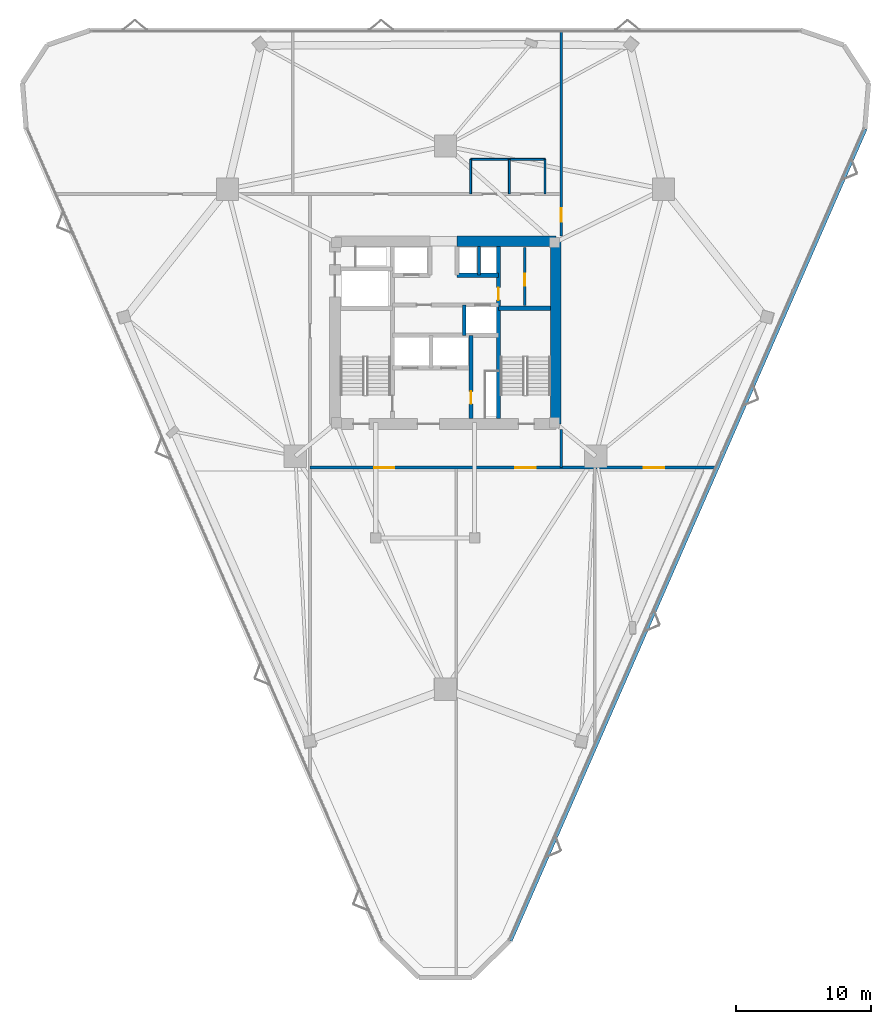
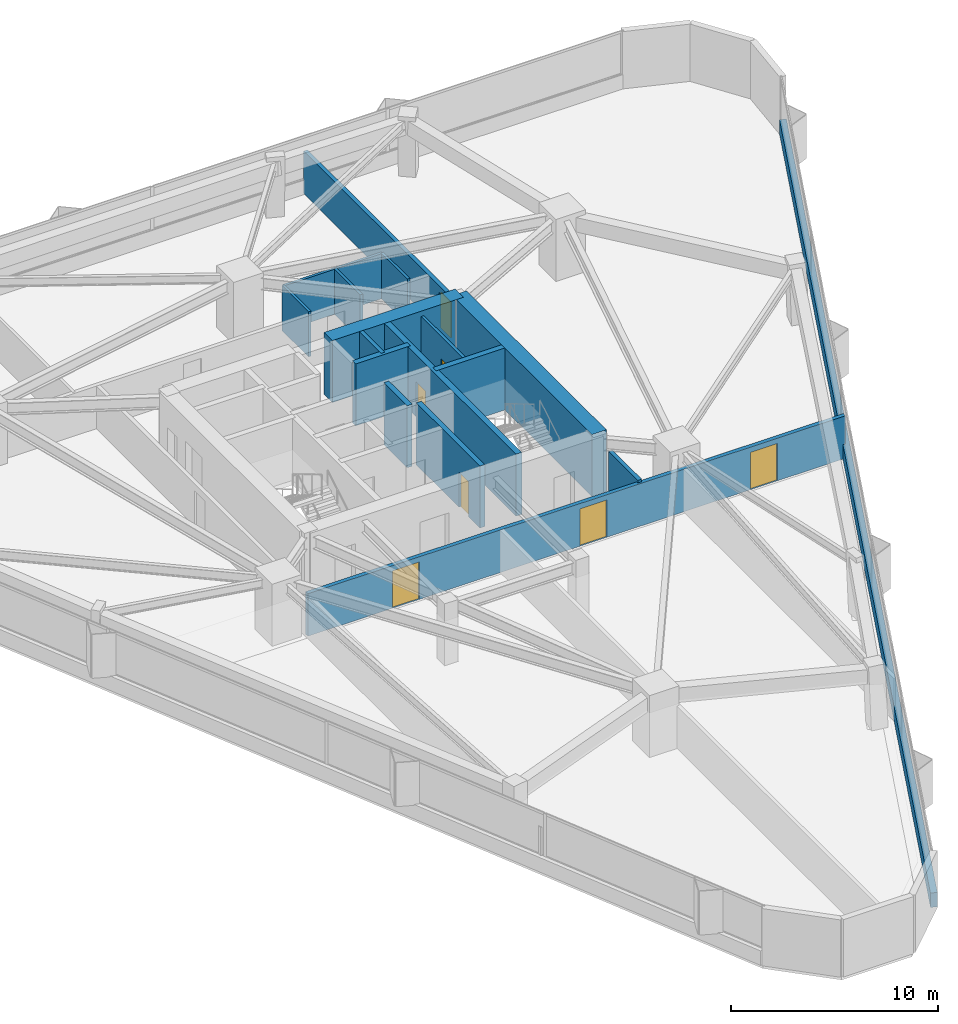
# One storey, part 15 of 18: 17 walls, 7 doors, 7 openings.
"""IFC4 building model written with IfcOpenShell, lengths in metres."""

from ifc_helpers import new_model, si_unit, direction, frame, frame_2d, origin, place, context, subcontext, project, spatial, rectangle, extrude, material, layer, layer_set, type_object, element, fill, save


model = new_model("IFC4")

# Units and contexts
model_context = context("Model", 3, precision=1e-05, world=origin(), true_north=direction((0.0, 1.0)))
body_context = subcontext(model_context, "Body", "Model", "MODEL_VIEW")
ifc_project = project(units=[si_unit("LENGTHUNIT", "METRE"), si_unit("AREAUNIT", "SQUARE_METRE"), si_unit("VOLUMEUNIT", "CUBIC_METRE"), si_unit("PLANEANGLEUNIT", "RADIAN"), si_unit("MASSUNIT", "GRAM", prefix="KILO")], contexts=[model_context])

# Site, building, storey
site_placement = place(None, origin())
site = spatial("IfcSite", under=ifc_project, at=site_placement, CompositionType="ELEMENT")
building_placement = place(site_placement, origin())
building = spatial("IfcBuilding", under=site, at=building_placement, Name="Talyreon Biosciences Tower", CompositionType="ELEMENT")
storey_placement = place(building_placement, frame((0.0, 0.0, 89.60009765625)))
storey = spatial("IfcBuildingStorey", under=building, at=storey_placement, Name="L23", CompositionType="ELEMENT", Elevation=89.60009765625)

# Wall
ifc_material_1 = material(Name="Concrete C50/60", Category="concrete")
ifc_layer_1 = layer(ifc_material_1, 0.219970703125)
ifc_layer_set_1 = layer_set([ifc_layer_1], Name="Concrete C50/60")
wall_type_1 = type_object("IfcWallType", Name="CoreShearWall_220", PredefinedType="SHEAR", material=ifc_layer_set_1)
wall_1_placement = place(storey_placement, frame((68.4599609375, 72.25, 0.0), z_axis=(0.0, 0.0, 1.0), x_axis=(0.0, 1.0, 0.0)))
element("IfcWall", 1, at=wall_1_placement, inside=storey, type_object=wall_type_1, Name="L23 Core Shaft Wall SWPHD", PredefinedType="SHEAR", context=body_context, shape_type="SweptSolid", body=[
    extrude(rectangle(XDim=2.10009765625, YDim=0.219970703125, at=frame_2d((1.050048828125, 0.0))), origin(), (0.0, 0.0, 1.0), 3.64990234375),
])

# Wall, opening, door
ifc_layer_2 = layer(ifc_material_1, 0.280029296875)
ifc_layer_set_2 = layer_set([ifc_layer_2], Name="Concrete C50/60")
wall_type_2 = type_object("IfcWallType", Name="CoreShearWall_280", PredefinedType="SHEAR", material=ifc_layer_set_2)
wall_2_placement = place(storey_placement, frame((67.8798828125, 61.64990234375, 0.0), z_axis=(0.0, 0.0, 1.0), x_axis=(0.0, 1.0, 0.0)))
wall_2 = element("IfcWall", 2, at=wall_2_placement, inside=storey, type_object=wall_type_2, Name="L23 Core Shaft Wall SWFFE", PredefinedType="SHEAR", context=body_context, shape_type="SweptSolid", body=[
    extrude(rectangle(XDim=6.150146484375, YDim=0.280029296875, at=frame_2d((3.0751953125, 0.0))), origin(), (0.0, 0.0, 1.0), 3.64990234375),
])
opening_1_placement = place(wall_2_placement, frame((1.10009765625, 0.0, 0.0)))
opening_1 = element("IfcOpeningElement", 3, at=opening_1_placement, cuts=wall_2, Name="Opening DR-L23-RSE", PredefinedType="OPENING", context=body_context, shape_type="SweptSolid", body=[
    extrude(rectangle(XDim=0.919921875, YDim=2.050048828125, at=frame_2d((0.4599609375, 1.02490234375))), frame((0.0, 0.14990234375, 0.0), z_axis=(0.0, -1.0, 0.0), x_axis=(1.0, 0.0, 0.0)), (0.0, 0.0, 1.0), 0.300048828125),
])
ifc_material_2 = material(Name="Painted steel fire-rated riser door", Category="steel")
door_type_1 = type_object("IfcDoorType", Name="RiserPlantAccessDoor_920x2050", OperationType="NOTDEFINED", PredefinedType="DOOR", material=ifc_material_2)
door_1_placement = place(opening_1_placement, origin())
door_1 = element("IfcDoor", 4, at=door_1_placement, inside=storey, type_object=door_type_1, Name="L23 Core Door DR-L23-RSE", OperationType="SINGLE_SWING_RIGHT", OverallHeight=2.050048828125, OverallWidth=0.919921875, PredefinedType="DOOR", context=body_context, shape_type="SweptSolid", body=[
    extrude(rectangle(XDim=0.919921875, YDim=2.050048828125, at=frame_2d((0.4599609375, 1.02490234375))), frame((0.0, 0.02490234375, 0.0), z_axis=(0.0, -1.0, 0.0), x_axis=(1.0, 0.0, 0.0)), (0.0, 0.0, 1.0), 0.050048828125),
])
fill(opening_1, door_1)

# Wall
wall_3_placement = place(storey_placement, frame((67.3798828125, 67.800048828125, 0.0), z_axis=(0.0, 0.0, 1.0), x_axis=(0.0, 1.0, 0.0)))
element("IfcWall", 5, at=wall_3_placement, inside=storey, type_object=wall_type_2, Name="L23 Core Shaft Wall SWPMD", PredefinedType="SHEAR", context=body_context, shape_type="SweptSolid", body=[
    extrude(rectangle(XDim=2.25, YDim=0.280029296875, at=frame_2d((1.125, 0.0))), origin(), (0.0, 0.0, 1.0), 3.64990234375),
])

# Wall, opening, door
ifc_layer_3 = layer(ifc_material_1, 0.320068359375)
ifc_layer_set_3 = layer_set([ifc_layer_3], Name="Concrete C50/60")
wall_type_3 = type_object("IfcWallType", Name="CoreShearWall_320", PredefinedType="SHEAR", material=ifc_layer_set_3)
wall_4_placement = place(storey_placement, frame((69.909912109375, 61.64990234375, 0.0), z_axis=(0.0, 0.0, 1.0), x_axis=(0.0, 1.0, 0.0)))
wall_4 = element("IfcWall", 6, at=wall_4_placement, inside=storey, type_object=wall_type_3, Name="L23 Core Shaft Wall SW2W", PredefinedType="SHEAR", context=body_context, shape_type="SweptSolid", body=[
    extrude(rectangle(XDim=12.7001953125, YDim=0.320068359375, at=frame_2d((6.35009765625, 0.0))), origin(), (0.0, 0.0, 1.0), 3.64990234375),
])
opening_2_placement = place(wall_4_placement, frame((8.75, 0.0, 0.0)))
opening_2 = element("IfcOpeningElement", 7, at=opening_2_placement, cuts=wall_4, Name="Opening DR-L23-CSRV", PredefinedType="OPENING", context=body_context, shape_type="SweptSolid", body=[
    extrude(rectangle(XDim=0.919921875, YDim=2.050048828125, at=frame_2d((0.4599609375, 1.02490234375))), frame((0.0, 0.169921875, 0.0), z_axis=(0.0, -1.0, 0.0), x_axis=(1.0, 0.0, 0.0)), (0.0, 0.0, 1.0), 0.340087890625),
])
door_2_placement = place(opening_2_placement, origin())
door_2 = element("IfcDoor", 8, at=door_2_placement, inside=storey, type_object=door_type_1, Name="L23 Core Door DR-L23-CSRV", OperationType="SINGLE_SWING_RIGHT", OverallHeight=2.050048828125, OverallWidth=0.919921875, PredefinedType="DOOR", context=body_context, shape_type="SweptSolid", body=[
    extrude(rectangle(XDim=0.919921875, YDim=2.050048828125, at=frame_2d((0.4599609375, 1.02490234375))), frame((0.0, 0.02490234375, 0.0), z_axis=(0.0, -1.0, 0.0), x_axis=(1.0, 0.0, 0.0)), (0.0, 0.0, 1.0), 0.050048828125),
])
fill(opening_2, door_2)

# Walls
wall_5_placement = place(storey_placement, frame((69.909912109375, 69.81005859375, 0.0), z_axis=(0.0, 0.0, 1.0), x_axis=(1.0, 0.0, 0.0)))
element("IfcWall", 9, at=wall_5_placement, inside=storey, type_object=wall_type_3, Name="L23 Core Shaft Wall SW2N", PredefinedType="SHEAR", context=body_context, shape_type="SweptSolid", body=[
    extrude(rectangle(XDim=3.840087890625, YDim=0.320068359375, at=frame_2d((1.919921875, 0.0))), origin(), (0.0, 0.0, 1.0), 3.64990234375),
])
wall_6_placement = place(storey_placement, frame((66.85009765625, 72.25, 0.0), z_axis=(0.0, 0.0, 1.0), x_axis=(1.0, 0.0, 0.0)))
element("IfcWall", 10, at=wall_6_placement, inside=storey, type_object=wall_type_3, Name="L23 Core Shaft Wall SWNPE", PredefinedType="SHEAR", context=body_context, shape_type="SweptSolid", body=[
    extrude(rectangle(XDim=3.059814453125, YDim=0.320068359375, at=frame_2d((1.52978515625, 0.0))), origin(), (0.0, 0.0, 1.0), 3.64990234375),
])
ifc_material_3 = material(Name="Concrete C60/75", Category="concrete")
ifc_layer_4 = layer(ifc_material_3, 0.800048828125)
ifc_layer_set_4 = layer_set([ifc_layer_4], Name="Concrete C60/75")
wall_type_4 = type_object("IfcWallType", Name="CoreShearWall_800", PredefinedType="SHEAR", material=ifc_layer_set_4)
wall_7_placement = place(storey_placement, frame((74.14990234375, 61.25, 0.0), z_axis=(0.0, 0.0, 1.0), x_axis=(0.0, 1.0, 0.0)))
element("IfcWall", 11, at=wall_7_placement, inside=storey, type_object=wall_type_4, Name="L23 Core Shear Wall E", PredefinedType="SHEAR", context=body_context, shape_type="SweptSolid", body=[
    extrude(rectangle(XDim=13.5, YDim=0.800048828125, at=frame_2d((6.75, 0.0))), origin(), (0.0, 0.0, 1.0), 3.64990234375),
])
wall_8_placement = place(storey_placement, frame((74.14990234375, 74.75, 0.0), z_axis=(0.0, 0.0, 1.0), x_axis=(-1.0, 0.0, 0.0)))
element("IfcWall", 12, at=wall_8_placement, inside=storey, type_object=wall_type_4, Name="L23 Core Shear Wall NE", PredefinedType="SHEAR", context=body_context, shape_type="SweptSolid", body=[
    extrude(rectangle(XDim=7.2998046875, YDim=0.800048828125, at=frame_2d((3.64990234375, 0.0))), origin(), (0.0, 0.0, 1.0), 3.64990234375),
])

# Wall, openings, doors
ifc_material_4 = material(Name="Gypsum fireboard acoustic stud", Category="gypsum")
ifc_layer_5 = layer(ifc_material_4, 0.219970703125)
ifc_layer_set_5 = layer_set([ifc_layer_5], Name="Gypsum fireboard acoustic stud")
wall_type_5 = type_object("IfcWallType", Name="CorridorRatedPartition_220", PredefinedType="PARTITIONING", material=ifc_layer_set_5)
wall_9_placement = place(storey_placement, frame((56.0, 58.030029296875, 0.0), z_axis=(0.0, 0.0, 1.0), x_axis=(1.0, 0.0, 0.0)))
wall_9 = element("IfcWall", 13, at=wall_9_placement, inside=storey, type_object=wall_type_5, Name="L23 Interior Wall IW-L23-COR-S", PredefinedType="PARTITIONING", context=body_context, shape_type="SweptSolid", body=[
    extrude(rectangle(XDim=29.94482421875, YDim=0.219970703125, at=frame_2d((14.972412109375, 0.0))), origin(), (0.0, 0.0, 1.0), 2.5048828125),
])
opening_3_placement = place(wall_9_placement, frame((4.72509765625, 0.0, 0.0)))
opening_3 = element("IfcOpeningElement", 14, at=opening_3_placement, cuts=wall_9, Name="Opening DR-L23-S1A", PredefinedType="OPENING", context=body_context, shape_type="SweptSolid", body=[
    extrude(rectangle(XDim=1.5, YDim=2.199951171875, at=frame_2d((0.75, 1.10009765625))), frame((0.0, 0.119873046875, 0.0), z_axis=(0.0, -1.0, 0.0), x_axis=(1.0, 0.0, 0.0)), (0.0, 0.0, 1.0), 0.239990234375),
])
opening_4_placement = place(wall_9_placement, frame((15.160888671875, 0.0, 0.0)))
opening_4 = element("IfcOpeningElement", 15, at=opening_4_placement, cuts=wall_9, Name="Opening DR-L23-S2A", PredefinedType="OPENING", context=body_context, shape_type="SweptSolid", body=[
    extrude(rectangle(XDim=1.5, YDim=2.199951171875, at=frame_2d((0.75, 1.10009765625))), frame((0.0, 0.119873046875, 0.0), z_axis=(0.0, -1.0, 0.0), x_axis=(1.0, 0.0, 0.0)), (0.0, 0.0, 1.0), 0.239990234375),
])
opening_5_placement = place(wall_9_placement, frame((24.658935546875, 0.0, 0.0)))
opening_5 = element("IfcOpeningElement", 16, at=opening_5_placement, cuts=wall_9, Name="Opening DR-L23-S3A", PredefinedType="OPENING", context=body_context, shape_type="SweptSolid", body=[
    extrude(rectangle(XDim=1.5, YDim=2.199951171875, at=frame_2d((0.75, 1.10009765625))), frame((0.0, 0.119873046875, 0.0), z_axis=(0.0, -1.0, 0.0), x_axis=(1.0, 0.0, 0.0)), (0.0, 0.0, 1.0), 0.239990234375),
])
ifc_material_5 = material(Name="Vision-panel steel laboratory fire door", Category="steel")
door_type_2 = type_object("IfcDoorType", Name="WetLabDoubleLeafDoor_1500x2200", OperationType="DOUBLE_DOOR_SINGLE_SWING", PredefinedType="DOOR", material=ifc_material_5)
door_3_placement = place(opening_3_placement, origin())
door_3 = element("IfcDoor", 17, at=door_3_placement, inside=storey, type_object=door_type_2, Name="L23 Interior Door DR-L23-S1A", OperationType="DOUBLE_DOOR_SINGLE_SWING", OverallHeight=2.199951171875, OverallWidth=1.5, PredefinedType="DOOR", context=body_context, shape_type="SweptSolid", body=[
    extrude(rectangle(XDim=1.5, YDim=2.199951171875, at=frame_2d((0.75, 1.10009765625))), frame((0.0, 0.02490234375, 0.0), z_axis=(0.0, -1.0, 0.0), x_axis=(1.0, 0.0, 0.0)), (0.0, 0.0, 1.0), 0.050048828125),
])
fill(opening_3, door_3)
door_4_placement = place(opening_4_placement, origin())
door_4 = element("IfcDoor", 18, at=door_4_placement, inside=storey, type_object=door_type_2, Name="L23 Interior Door DR-L23-S2A", OperationType="DOUBLE_DOOR_SINGLE_SWING", OverallHeight=2.199951171875, OverallWidth=1.5, PredefinedType="DOOR", context=body_context, shape_type="SweptSolid", body=[
    extrude(rectangle(XDim=1.5, YDim=2.199951171875, at=frame_2d((0.75, 1.10009765625))), frame((0.0, 0.02490234375, 0.0), z_axis=(0.0, -1.0, 0.0), x_axis=(1.0, 0.0, 0.0)), (0.0, 0.0, 1.0), 0.050048828125),
])
fill(opening_4, door_4)
door_5_placement = place(opening_5_placement, origin())
door_5 = element("IfcDoor", 19, at=door_5_placement, inside=storey, type_object=door_type_2, Name="L23 Interior Door DR-L23-S3A", OperationType="DOUBLE_DOOR_SINGLE_SWING", OverallHeight=2.199951171875, OverallWidth=1.5, PredefinedType="DOOR", context=body_context, shape_type="SweptSolid", body=[
    extrude(rectangle(XDim=1.5, YDim=2.199951171875, at=frame_2d((0.75, 1.10009765625))), frame((0.0, 0.02490234375, 0.0), z_axis=(0.0, -1.0, 0.0), x_axis=(1.0, 0.0, 0.0)), (0.0, 0.0, 1.0), 0.050048828125),
])
fill(opening_5, door_5)

# Wall, opening, door
wall_10_placement = place(storey_placement, frame((74.550048828125, 75.14990234375, 0.0), z_axis=(0.0, 0.0, 1.0), x_axis=(0.0, 1.0, 0.0)))
wall_10 = element("IfcWall", 20, at=wall_10_placement, inside=storey, type_object=wall_type_5, Name="L23 Interior Wall IW-L23-ECAP-N", PredefinedType="PARTITIONING", context=body_context, shape_type="SweptSolid", body=[
    extrude(rectangle(XDim=15.11865234375, YDim=0.219970703125, at=frame_2d((7.559326171875, 0.0))), origin(), (0.0, 0.0, 1.0), 2.5048828125),
])
opening_6_placement = place(wall_10_placement, frame((1.050048828125, 0.0, 0.0)))
opening_6 = element("IfcOpeningElement", 21, at=opening_6_placement, cuts=wall_10, Name="Opening DR-L23-E1A", PredefinedType="OPENING", context=body_context, shape_type="SweptSolid", body=[
    extrude(rectangle(XDim=1.0, YDim=2.10009765625, at=frame_2d((0.5, 1.050048828125))), frame((0.0, 0.119873046875, 0.0), z_axis=(0.0, -1.0, 0.0), x_axis=(1.0, 0.0, 0.0)), (0.0, 0.0, 1.0), 0.239990234375),
])
ifc_material_6 = material(Name="Acoustic oak veneer office door", Category="wood")
door_type_3 = type_object("IfcDoorType", Name="WriteupOfficeDoor_1000x2100", OperationType="NOTDEFINED", PredefinedType="DOOR", material=ifc_material_6)
door_6_placement = place(opening_6_placement, origin())
door_6 = element("IfcDoor", 22, at=door_6_placement, inside=storey, type_object=door_type_3, Name="L23 Interior Door DR-L23-E1A", OperationType="SINGLE_SWING_RIGHT", OverallHeight=2.10009765625, OverallWidth=1.0, PredefinedType="DOOR", context=body_context, shape_type="SweptSolid", body=[
    extrude(rectangle(XDim=1.0, YDim=2.10009765625, at=frame_2d((0.5, 1.050048828125))), frame((0.0, 0.02490234375, 0.0), z_axis=(0.0, -1.0, 0.0), x_axis=(1.0, 0.0, 0.0)), (0.0, 0.0, 1.0), 0.050048828125),
])
fill(opening_6, door_6)

# Wall
wall_11_placement = place(storey_placement, frame((74.550048828125, 58.030029296875, 0.0), z_axis=(0.0, 0.0, 1.0), x_axis=(0.0, 1.0, 0.0)))
element("IfcWall", 23, at=wall_11_placement, inside=storey, type_object=wall_type_5, Name="L23 Interior Wall IW-L23-ECAP-S", PredefinedType="PARTITIONING", context=body_context, shape_type="SweptSolid", body=[
    extrude(rectangle(XDim=2.820068359375, YDim=0.219970703125, at=frame_2d((1.41015625, 0.0))), origin(), (0.0, 0.0, 1.0), 2.65478515625),
])

# Wall, opening, door
ifc_material_7 = material(Name="Gypsum acoustic stud partition", Category="gypsum")
ifc_layer_6 = layer(ifc_material_7, 0.159912109375)
ifc_layer_set_6 = layer_set([ifc_layer_6], Name="Gypsum acoustic stud partition")
wall_type_6 = type_object("IfcWallType", Name="LabSeparationPartition_160", PredefinedType="PARTITIONING", material=ifc_layer_set_6)
wall_12_placement = place(storey_placement, frame((71.85009765625, 70.0, 0.0), z_axis=(0.0, 0.0, 1.0), x_axis=(0.0, 1.0, 0.0)))
wall_12 = element("IfcWall", 24, at=wall_12_placement, inside=storey, type_object=wall_type_6, Name="L23 Interior Wall IW-L23-CSRV-V", PredefinedType="PARTITIONING", context=body_context, shape_type="SweptSolid", body=[
    extrude(rectangle(XDim=4.300048828125, YDim=0.159912109375, at=frame_2d((2.14990234375, 0.0))), origin(), (0.0, 0.0, 1.0), 3.375),
])
opening_7_placement = place(wall_12_placement, frame((1.449951171875, 0.0, 0.0)))
opening_7 = element("IfcOpeningElement", 25, at=opening_7_placement, cuts=wall_12, Name="Opening DR-L23-CSRV-I", PredefinedType="OPENING", context=body_context, shape_type="SweptSolid", body=[
    extrude(rectangle(XDim=0.919921875, YDim=2.050048828125, at=frame_2d((0.4599609375, 1.02490234375))), frame((0.0, 0.08984375, 0.0), z_axis=(0.0, -1.0, 0.0), x_axis=(1.0, 0.0, 0.0)), (0.0, 0.0, 1.0), 0.179931640625),
])
door_7_placement = place(opening_7_placement, origin())
door_7 = element("IfcDoor", 26, at=door_7_placement, inside=storey, type_object=door_type_1, Name="L23 Interior Door DR-L23-CSRV-I", OperationType="SINGLE_SWING_RIGHT", OverallHeight=2.050048828125, OverallWidth=0.919921875, PredefinedType="DOOR", context=body_context, shape_type="SweptSolid", body=[
    extrude(rectangle(XDim=0.919921875, YDim=2.050048828125, at=frame_2d((0.4599609375, 1.02490234375))), frame((0.0, 0.02490234375, 0.0), z_axis=(0.0, -1.0, 0.0), x_axis=(1.0, 0.0, 0.0)), (0.0, 0.0, 1.0), 0.050048828125),
])
fill(opening_7, door_7)

# Walls
ifc_material_8 = material(Name="Precast concrete C45/55", Category="concrete")
ifc_layer_7 = layer(ifc_material_8, 0.340087890625)
ifc_layer_set_7 = layer_set([ifc_layer_7], Name="Precast concrete C45/55")
wall_type_7 = type_object("IfcWallType", Name="PrecastConcreteSpandrelWall_340", PredefinedType="STANDARD", material=ifc_layer_set_7)
wall_13_placement = place(storey_placement, frame((96.98388671875, 83.070556640625, 0.0), z_axis=(0.0, 0.0, 1.0), x_axis=(-0.400542161224, -0.916278329484, 0.0)))
element("IfcWall", 27, at=wall_13_placement, inside=storey, type_object=wall_type_7, Name="L23 Expressed Concrete Sill Wall 08", PredefinedType="STANDARD", context=body_context, shape_type="SweptSolid", body=[
    extrude(rectangle(XDim=65.45947265625, YDim=0.340087890625, at=frame_2d((32.729736328125, 0.0))), origin(), (0.0, 0.0, 1.0), 0.849853515625),
])
ifc_material_9 = material(Name="Moisture-resistant cement-board stud", Category="gypsum")
ifc_layer_8 = layer(ifc_material_9, 0.14501953125)
ifc_layer_set_8 = layer_set([ifc_layer_8], Name="Moisture-resistant cement-board stud")
wall_type_8 = type_object("IfcWallType", Name="WetRoomPartition_145", PredefinedType="PARTITIONING", material=ifc_layer_set_8)
for number, where, z_axis, x_axis, name in (
    (28, (67.85009765625, 78.25, 0.0), (0.0, 0.0, 1.0), (0.0, 1.0, 0.0), "L23 Interior Wall IW-L23-WCL"),
    (29, (70.72509765625, 78.25, 0.0), (0.0, 0.0, 1.0), (0.0, 1.0, 0.0), "L23 Interior Wall IW-L23-WCM"),
    (30, (73.35009765625, 78.25, 0.0), (0.0, 0.0, 1.0), (0.0, 1.0, 0.0), "L23 Interior Wall IW-L23-WCR"),
):
    element("IfcWall", number, at=place(storey_placement, frame(where, z_axis=z_axis, x_axis=x_axis)), inside=storey, type_object=wall_type_8, Name=name, PredefinedType="PARTITIONING", context=body_context, shape_type="SweptSolid", body=[
        extrude(rectangle(XDim=2.550048828125, YDim=0.14501953125, at=frame_2d((1.27490234375, 0.0))), origin(), (0.0, 0.0, 1.0), 2.65478515625),
    ])
wall_14_placement = place(storey_placement, frame((67.85009765625, 80.800048828125, 0.0), z_axis=(0.0, 0.0, 1.0), x_axis=(1.0, 0.0, 0.0)))
element("IfcWall", 31, at=wall_14_placement, inside=storey, type_object=wall_type_8, Name="L23 Interior Wall IW-L23-WCT", PredefinedType="PARTITIONING", context=body_context, shape_type="SweptSolid", body=[
    extrude(rectangle(XDim=5.5, YDim=0.14501953125, at=frame_2d((2.75, 0.0))), origin(), (0.0, 0.0, 1.0), 2.65478515625),
])

save(model, "model.ifc")
